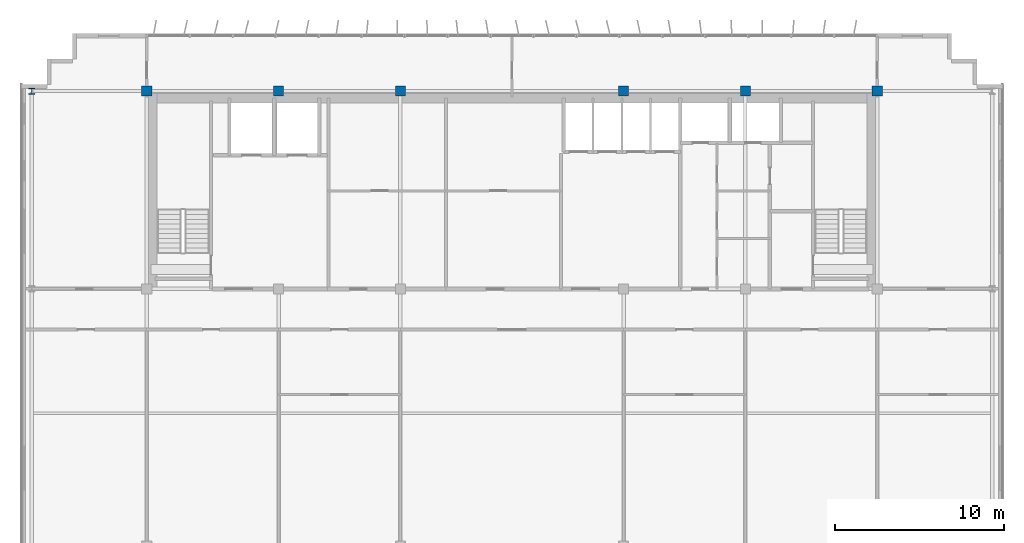
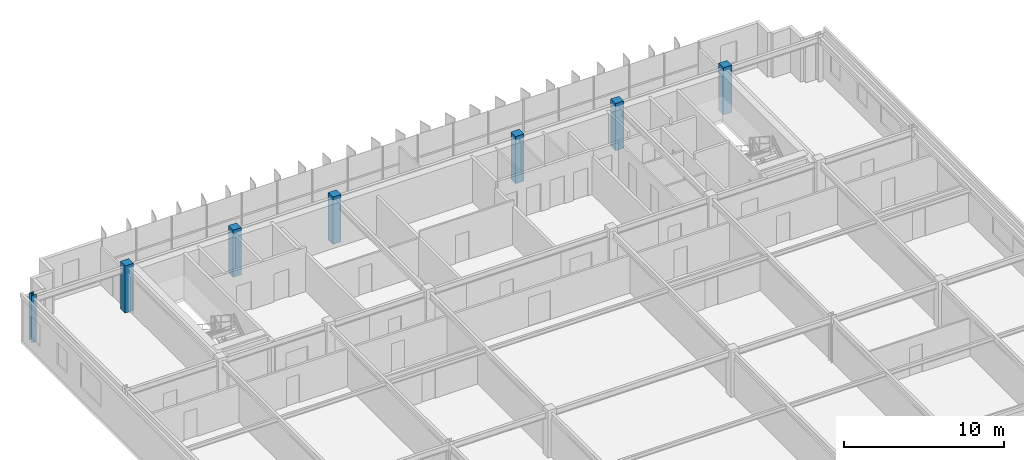
# One storey, part 3 of 21: 7 columns.
"""IFC4 building model written with IfcOpenShell, lengths in metres."""

import ifcopenshell
import ifcopenshell.guid

model = None  # the IFC model being written
_history = None  # IfcOwnerHistory: only IFC2X3 demands one
_inside = {}  # id of a spatial element -> (the spatial element, [elements in it])
_under = {}  # id of a project, library or spatial element -> (it, [spatial elements below it])
_declared = {}  # id of a project -> (the project, [libraries it declares])
_typed = {}  # id of a type object -> (the type object, [elements of that type])
_made_of = {}  # id of a material, layer set ... -> (it, [elements and type objects made of it])


def new_model(schema):
    """Start an empty IFC model of exactly this schema.

    Asked for "IFC4X3", IfcOpenShell would pick the latest addendum, in which some entities
    have other attributes; the version numbers below select the first issue.
    IFC2X3 requires an IfcOwnerHistory on every rooted entity: one is made here for all.
    """
    global model, _history
    if schema == "IFC4X3":
        model = ifcopenshell.file(schema_version=(4, 3, 0, 0))
    else:
        model = ifcopenshell.file(schema=schema)
    _inside.clear()
    _under.clear()
    _declared.clear()
    _typed.clear()
    _made_of.clear()
    _history = None
    if model.schema == "IFC2X3":
        org = make("IfcOrganization", Name="unknown")
        user = make(
            "IfcPersonAndOrganization",
            ThePerson=make("IfcPerson", FamilyName="unknown"),
            TheOrganization=org,
        )
        app = make(
            "IfcApplication",
            ApplicationDeveloper=org,
            Version="unknown",
            ApplicationFullName="unknown",
            ApplicationIdentifier="unknown",
        )
        _history = make(
            "IfcOwnerHistory",
            OwningUser=user,
            OwningApplication=app,
            ChangeAction="ADDED",
            CreationDate=0,
        )
    return model


def make(cls, **values):
    """One entity of the class cls with the attributes given. An attribute that is None is left unset."""
    return model.create_entity(
        cls, **{name: value for name, value in values.items() if value is not None}
    )


def rooted(cls, **values):
    """An entity with a GlobalId (a new one), such as an element, a storey or a relation."""
    return make(cls, GlobalId=ifcopenshell.guid.new(), OwnerHistory=_history, **values)


def si_unit(unit_type, name, prefix=None):
    """IfcSIUnit, for example si_unit("LENGTHUNIT", "METRE", prefix="MILLI")."""
    return make("IfcSIUnit", UnitType=unit_type, Prefix=prefix, Name=name)


def assignment(units):
    """IfcUnitAssignment: the units of a project."""
    return None if units is None else make("IfcUnitAssignment", Units=units)


def point(xyz):
    """IfcCartesianPoint."""
    return None if xyz is None else make("IfcCartesianPoint", Coordinates=xyz)


def direction(xyz):
    """IfcDirection."""
    return None if xyz is None else make("IfcDirection", DirectionRatios=xyz)


def frame(location, z_axis=None, x_axis=None):
    """IfcAxis2Placement3D, a coordinate frame: its origin and axes. An axis left out is left unset."""
    return make(
        "IfcAxis2Placement3D",
        Location=point(location),
        Axis=direction(z_axis),
        RefDirection=direction(x_axis),
    )


def frame_2d(location, x_axis=None):
    """IfcAxis2Placement2D, a coordinate frame in the plane: its origin and x axis."""
    return make(
        "IfcAxis2Placement2D", Location=point(location), RefDirection=direction(x_axis)
    )


def origin():
    """The frame at (0, 0, 0) with its axes left unset."""
    return frame((0.0, 0.0, 0.0))


def origin_2d():
    """The frame at (0, 0) in the plane with its x axis left unset."""
    return frame_2d((0.0, 0.0))


def place(relative_to, where):
    """IfcLocalPlacement: puts the frame where relative to a parent placement (None: the world)."""
    return make(
        "IfcLocalPlacement", PlacementRelTo=relative_to, RelativePlacement=where
    )


def context(
    kind, dimensions, precision=None, world=None, true_north=None, identifier=None
):
    """IfcGeometricRepresentationContext, for example the 3D "Model" context."""
    return make(
        "IfcGeometricRepresentationContext",
        ContextIdentifier=identifier,
        ContextType=kind,
        CoordinateSpaceDimension=dimensions,
        Precision=precision,
        WorldCoordinateSystem=world,
        TrueNorth=true_north,
    )


def subcontext(parent, identifier, kind, view, scale=None):
    """IfcGeometricRepresentationSubContext, for example "Body" below "Model"."""
    return make(
        "IfcGeometricRepresentationSubContext",
        ContextIdentifier=identifier,
        ContextType=kind,
        ParentContext=parent,
        TargetScale=scale,
        TargetView=view,
    )


def project(units=None, contexts=None):
    """IfcProject with its units and contexts."""
    return rooted(
        "IfcProject",
        Name="project",
        RepresentationContexts=contexts,
        UnitsInContext=assignment(units),
    )


def spatial(cls, under=None, at=None, **own):
    """A site, building, storey or space (cls), placed at a placement, below another one or the project."""
    s = rooted(cls, ObjectPlacement=at, **own)
    if under is not None:
        _under.setdefault(under.id(), (under, []))[1].append(s)
    return s


def profile(cls, at=None, kind="AREA", **sizes):
    """A parametric profile (cls). Its sizes go by their IFC names, for example OverallWidth=200.0."""
    return make(cls, ProfileType=kind, Position=at, **sizes)


def rectangle(**sizes):
    """IfcRectangleProfileDef."""
    return profile("IfcRectangleProfileDef", **sizes)


def i_section(**sizes):
    """IfcIShapeProfileDef."""
    return profile("IfcIShapeProfileDef", **sizes)


def extrude(swept, where, along, depth):
    """IfcExtrudedAreaSolid: the profile swept, set in the frame where, extruded along a direction by depth."""
    return make(
        "IfcExtrudedAreaSolid",
        SweptArea=swept,
        Position=where,
        ExtrudedDirection=direction(along),
        Depth=depth,
    )


def shape(context_of_items, identifier, shape_type, items):
    """IfcShapeRepresentation: the items that make up one representation, for example the "Body"."""
    return make(
        "IfcShapeRepresentation",
        ContextOfItems=context_of_items,
        RepresentationIdentifier=identifier,
        RepresentationType=shape_type,
        Items=items,
    )


def source(mapping_origin, context_of_items, identifier, shape_type, items):
    """IfcRepresentationMap: a shape defined once, which mapped items show again and again."""
    return make(
        "IfcRepresentationMap",
        MappingOrigin=mapping_origin,
        MappedRepresentation=shape(context_of_items, identifier, shape_type, items),
    )


def transform(
    local_origin,
    x_axis=None,
    y_axis=None,
    z_axis=None,
    scale=None,
    scale2=None,
    scale3=None,
    uniform=True,
):
    """IfcCartesianTransformationOperator3D, or its non-uniform kind. x_axis, y_axis, z_axis: its Axis1, 2, 3."""
    if uniform:
        return make(
            "IfcCartesianTransformationOperator3D",
            Axis1=direction(x_axis),
            Axis2=direction(y_axis),
            LocalOrigin=point(local_origin),
            Scale=scale,
            Axis3=direction(z_axis),
        )
    return make(
        "IfcCartesianTransformationOperator3DnonUniform",
        Axis1=direction(x_axis),
        Axis2=direction(y_axis),
        LocalOrigin=point(local_origin),
        Scale=scale,
        Axis3=direction(z_axis),
        Scale2=scale2,
        Scale3=scale3,
    )


def mapped(mapping_source, mapping_target):
    """IfcMappedItem: shows the shape of a source again, moved by a transform."""
    return make(
        "IfcMappedItem", MappingSource=mapping_source, MappingTarget=mapping_target
    )


def material(Name=None, Category=None):
    """IfcMaterial."""
    return make("IfcMaterial", Name=Name, Category=Category)


def material_profile(
    of_material, cross_section, Name=None, Category=None, Priority=None
):
    """IfcMaterialProfile: a cross section and its material."""
    return make(
        "IfcMaterialProfile",
        Name=Name,
        Material=of_material,
        Profile=cross_section,
        Priority=Priority,
        Category=Category,
    )


def profile_set(profiles, Name=None, composite=None):
    """IfcMaterialProfileSet."""
    return make(
        "IfcMaterialProfileSet",
        Name=Name,
        MaterialProfiles=profiles,
        CompositeProfile=composite,
    )


def made_of(thing, what):
    """Note that an element or type object is made of a material, layer set ...; save() writes the relation."""
    if what is not None:
        _made_of.setdefault(what.id(), (what, []))[1].append(thing)
    return thing


def type_object(cls, material=None, **own):
    """A type object (cls), such as IfcWallType, which elements share."""
    return made_of(rooted(cls, **own), material)


def element(
    cls,
    number,
    at=None,
    inside=None,
    cuts=None,
    type_object=None,
    material=None,
    context=None,
    identifier="Body",
    shape_type=None,
    held_by="IfcProductDefinitionShape",
    body=None,
    shapes=None,
    **own,
):
    """One element of the class cls, such as IfcWall. Its Tag is "e" and its number.

    at: its placement. inside: the storey or other place that contains it. cuts: it is an
    opening in that element (IfcRelVoidsElement). A single representation is given by context,
    identifier, shape_type and body (its items); several are given by shapes. held_by: the class
    of the entity that holds the representations. save() writes the other relations.
    """
    e = rooted(cls, Tag="e%d" % number, ObjectPlacement=at, **own)
    if body is not None:
        shapes = [shape(context, identifier, shape_type, body)]
    if shapes is not None:
        e.Representation = make(held_by, Representations=shapes)
    if inside is not None:
        _inside.setdefault(inside.id(), (inside, []))[1].append(e)
    if cuts is not None:
        rooted(
            "IfcRelVoidsElement", RelatingBuildingElement=cuts, RelatedOpeningElement=e
        )
    if type_object is not None:
        _typed.setdefault(type_object.id(), (type_object, []))[1].append(e)
    return made_of(e, material)


def aggregate(whole, parts):
    """IfcRelAggregates: a whole, such as a stair, and the parts it consists of."""
    return rooted("IfcRelAggregates", RelatingObject=whole, RelatedObjects=parts)


def save(model, path):
    """Write the relations noted so far, then the file.

    IfcRelAggregates (storeys below a building ...), IfcRelContainedInSpatialStructure (elements
    in a storey), IfcRelDefinesByType, IfcRelAssociatesMaterial and IfcRelDeclares: one each for
    every whole, place, type object, material and project.
    """
    for whole, parts in _under.values():
        aggregate(whole, parts)
    for where, things in _inside.values():
        rooted(
            "IfcRelContainedInSpatialStructure",
            RelatedElements=things,
            RelatingStructure=where,
        )
    for kind, things in _typed.values():
        rooted("IfcRelDefinesByType", RelatedObjects=things, RelatingType=kind)
    for what, things in _made_of.values():
        rooted("IfcRelAssociatesMaterial", RelatedObjects=things, RelatingMaterial=what)
    for by, libraries in _declared.values():
        rooted("IfcRelDeclares", RelatingContext=by, RelatedDefinitions=libraries)
    model.write(path)


model = new_model("IFC4")

# Units and contexts
model_context = context("Model", 3, precision=1e-05, world=origin(), true_north=direction((0.0, 1.0)))
body_context = subcontext(model_context, "Body", "Model", "MODEL_VIEW")
ifc_project = project(units=[si_unit("LENGTHUNIT", "METRE"), si_unit("AREAUNIT", "SQUARE_METRE"), si_unit("VOLUMEUNIT", "CUBIC_METRE"), si_unit("PLANEANGLEUNIT", "RADIAN"), si_unit("MASSUNIT", "GRAM", prefix="KILO")], contexts=[model_context])

# Site, building, storey
site_placement = place(None, origin())
site = spatial("IfcSite", under=ifc_project, at=site_placement, CompositionType="ELEMENT")
building_placement = place(site_placement, origin())
building = spatial("IfcBuilding", under=site, at=building_placement, Name="Trelvane Seafront Commons", CompositionType="ELEMENT")
storey_placement = place(building_placement, frame((0.0, 0.0, 255.89990234375)))
storey = spatial("IfcBuildingStorey", under=building, at=storey_placement, Name="L66", CompositionType="ELEMENT", Elevation=255.89990234375)

# Columns
ifc_material_1 = material(Name="Steel SM355 (S355)", Category="steel")
ifc_material_profile_1 = material_profile(ifc_material_1, i_section(OverallWidth=0.35009765625, OverallDepth=0.35009765625, WebThickness=0.01806640625, FlangeThickness=0.028076171875, at=origin_2d()), Name="HD-350x350x18x28")
ifc_profile_set_1 = profile_set([ifc_material_profile_1], Name="Steel SM355 (S355)")
column_type_1 = type_object("IfcColumnType", Name="STR-COL-HD350", PredefinedType="COLUMN", material=ifc_profile_set_1)
shared_shape_1 = source(origin(), body_context, "Body", "SweptSolid", [
    extrude(i_section(OverallWidth=0.35009765625, OverallDepth=0.35009765625, WebThickness=0.01806640625, FlangeThickness=0.028076171875, at=origin_2d()), origin(), (0.0, 0.0, 1.0), 3.60009765625),
])
column_placement = place(storey_placement, frame((8.800048828125, 45.10009765625, 0.0), z_axis=(0.0, 0.0, 1.0), x_axis=(1.0, 0.0, 0.0)))
element("IfcColumn", 1, at=column_placement, inside=storey, type_object=column_type_1, Name="L66 Column TC-CN8.8", PredefinedType="COLUMN", context=body_context, shape_type="MappedRepresentation", body=[
    mapped(shared_shape_1, transform((0.0, 0.0, 0.0), x_axis=(1.0, 0.0, 0.0), y_axis=(0.0, 1.0, 0.0), z_axis=(0.0, 0.0, 1.0), scale=1.0)),
])
ifc_material_2 = material(Name="Concrete C50/60", Category="concrete")
ifc_material_profile_2 = material_profile(ifc_material_2, rectangle(XDim=0.60009765625, YDim=0.60009765625, at=origin_2d()), Name="RC-600x600")
ifc_profile_set_2 = profile_set([ifc_material_profile_2], Name="Concrete C50/60")
column_type_2 = type_object("IfcColumnType", Name="STR-COL-RC600", PredefinedType="COLUMN", material=ifc_profile_set_2)
shared_shape_2 = source(origin(), body_context, "Body", "SweptSolid", [
    extrude(rectangle(XDim=0.60009765625, YDim=0.60009765625, at=origin_2d()), origin(), (0.0, 0.0, 1.0), 3.60009765625),
])
for number, where, z_axis, x_axis, name in (
    (2, (15.60009765625, 45.10009765625, 0.0), (0.0, 0.0, 1.0), (1.0, 0.0, 0.0), "L66 Column TC-CN15.6"),
    (3, (23.39990234375, 45.10009765625, 0.0), (0.0, 0.0, 1.0), (1.0, 0.0, 0.0), "L66 Column TC-CN23.4"),
    (4, (30.60009765625, 45.10009765625, 0.0), (0.0, 0.0, 1.0), (1.0, 0.0, 0.0), "L66 Column TC-CN30.6"),
    (5, (43.800048828125, 45.10009765625, 0.0), (0.0, 0.0, 1.0), (1.0, 0.0, 0.0), "L66 Column TC-CN43.8"),
    (6, (51.0, 45.10009765625, 0.0), (0.0, 0.0, 1.0), (1.0, 0.0, 0.0), "L66 Column TC-CN51.0"),
    (7, (58.800048828125, 45.10009765625, 0.0), (0.0, 0.0, 1.0), (1.0, 0.0, 0.0), "L66 Column TC-CN58.8"),
):
    element("IfcColumn", number, at=place(storey_placement, frame(where, z_axis=z_axis, x_axis=x_axis)), inside=storey, type_object=column_type_2, Name=name, PredefinedType="COLUMN", context=body_context, shape_type="MappedRepresentation", body=[
        mapped(shared_shape_2, transform((0.0, 0.0, 0.0), x_axis=(1.0, 0.0, 0.0), y_axis=(0.0, 1.0, 0.0), z_axis=(0.0, 0.0, 1.0), scale=1.0)),
    ])

save(model, "model.ifc")
